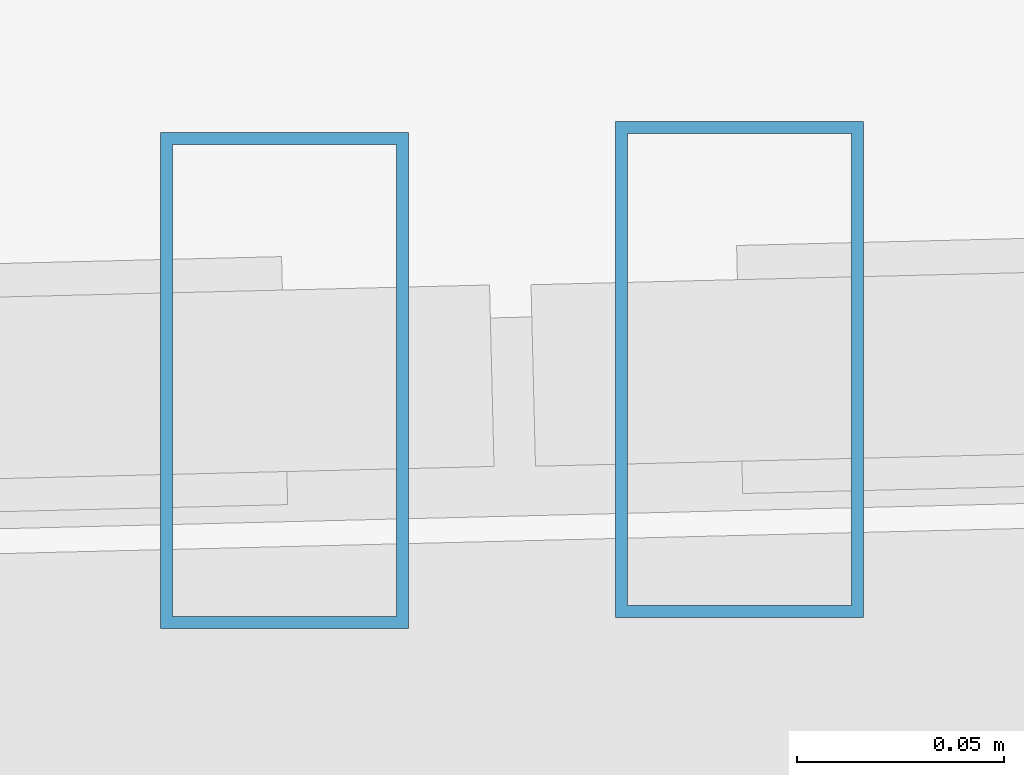
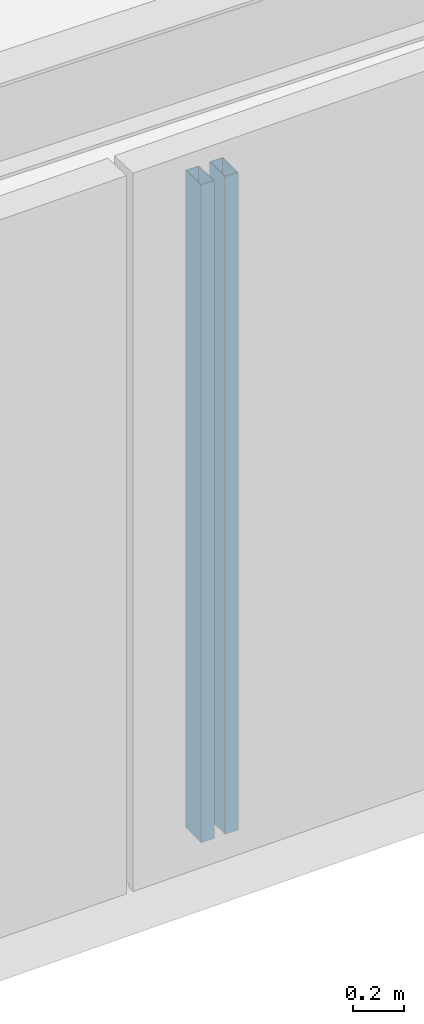
# One storey, part 15 of 47: 2 members, 2 elements without a shape of their own.
"""IFC4 building model written with IfcOpenShell, lengths in metres."""

from ifc_helpers import new_model, si_unit, direction, frame, origin, origin_2d, place, context, subcontext, project, spatial, hollow_rectangle, extrude, source, transform, mapped, material, material_profile, profile_set, type_object, type_shapes, element, aggregate, save


model = new_model("IFC4")

# Units and contexts
model_context = context("Model", 3, precision=1e-05, world=origin(), true_north=direction((0.0, 1.0)))
body_context = subcontext(model_context, "Body", "Model", "MODEL_VIEW")
ifc_project = project(units=[si_unit("LENGTHUNIT", "METRE"), si_unit("AREAUNIT", "SQUARE_METRE"), si_unit("VOLUMEUNIT", "CUBIC_METRE"), si_unit("PLANEANGLEUNIT", "RADIAN"), si_unit("MASSUNIT", "GRAM", prefix="KILO")], contexts=[model_context])

# Site, building, storey
site_placement = place(None, origin())
site = spatial("IfcSite", under=ifc_project, at=site_placement, CompositionType="ELEMENT")
building_placement = place(site_placement, origin())
building = spatial("IfcBuilding", under=site, at=building_placement, Name="Caelisora Broadcast Tower", CompositionType="ELEMENT")
storey_placement = place(building_placement, frame((0.0, 0.0, 293.199951171875)))
storey = spatial("IfcBuildingStorey", under=building, at=storey_placement, Name="L77", CompositionType="ELEMENT", Elevation=293.199951171875)

# Curtain wall, member
ifc_material_1 = material(Name="Unitised Aluminium Insulated Shadow-Box Spandrel Curtain Wall", Category="aluminium")
curtain_wall_type = type_object("IfcCurtainWallType", Name="CW-SP3", PredefinedType="NOTDEFINED", material=ifc_material_1)
curtain_wall_1_placement = place(storey_placement, origin())
curtain_wall_1 = element("IfcCurtainWall", 1, at=curtain_wall_1_placement, inside=storey, type_object=curtain_wall_type, Name="L77 curtain wall CW-SP3", PredefinedType="NOTDEFINED")
ifc_material_2 = material(Name="Aluminium 6063-T6 Anodised Terracotta Bronze", Category="aluminium")
ifc_material_profile = material_profile(ifc_material_2, hollow_rectangle(XDim=0.06005859375, YDim=0.1201171875, WallThickness=0.0029296875, at=origin_2d()), Name="Aluminium 6063-T6 Anodised Terracotta Bronze")
ifc_profile_set = profile_set([ifc_material_profile], Name="Aluminium 6063-T6 Anodised Terracotta Bronze")
member_type = type_object("IfcMemberType", Name="CWM-04", PredefinedType="MULLION", material=ifc_profile_set)
shared_shape = source(origin(), body_context, "Body", "SweptSolid", [
    extrude(hollow_rectangle(XDim=0.06005859375, YDim=0.1201171875, WallThickness=0.0029296875, at=origin_2d()), origin(), (0.0, 0.0, 1.0), 3.150146484375),
])
type_shapes(member_type, [shared_shape])
member_1_placement = place(storey_placement, frame((44.9990234375, 9.101806640625, 0.0), z_axis=(0.0, 0.0, 1.0), x_axis=(1.0, 0.0, 0.0)))
member_1 = element("IfcMember", 2, at=member_1_placement, type_object=member_type, Name="L77-CW-B05 mullion #3", PredefinedType="MULLION", context=body_context, shape_type="MappedRepresentation", body=[
    mapped(shared_shape, transform((0.0, 0.0, 0.0), scale=1.0)),
])
aggregate(curtain_wall_1, [member_1])

curtain_wall_2_placement = place(storey_placement, origin())
curtain_wall_2 = element("IfcCurtainWall", 3, at=curtain_wall_2_placement, inside=storey, type_object=curtain_wall_type, Name="L77 curtain wall CW-SP3", PredefinedType="NOTDEFINED")
member_2_placement = place(storey_placement, frame((44.888916015625, 9.09912109375, 0.0), z_axis=(0.0, 0.0, 1.0), x_axis=(1.0, 0.0, 0.0)))
member_2 = element("IfcMember", 4, at=member_2_placement, type_object=member_type, Name="L77-CW-B06 mullion #0", PredefinedType="MULLION", context=body_context, shape_type="MappedRepresentation", body=[
    mapped(shared_shape, transform((0.0, 0.0, 0.0), scale=1.0)),
])
aggregate(curtain_wall_2, [member_2])

save(model, "model.ifc")
